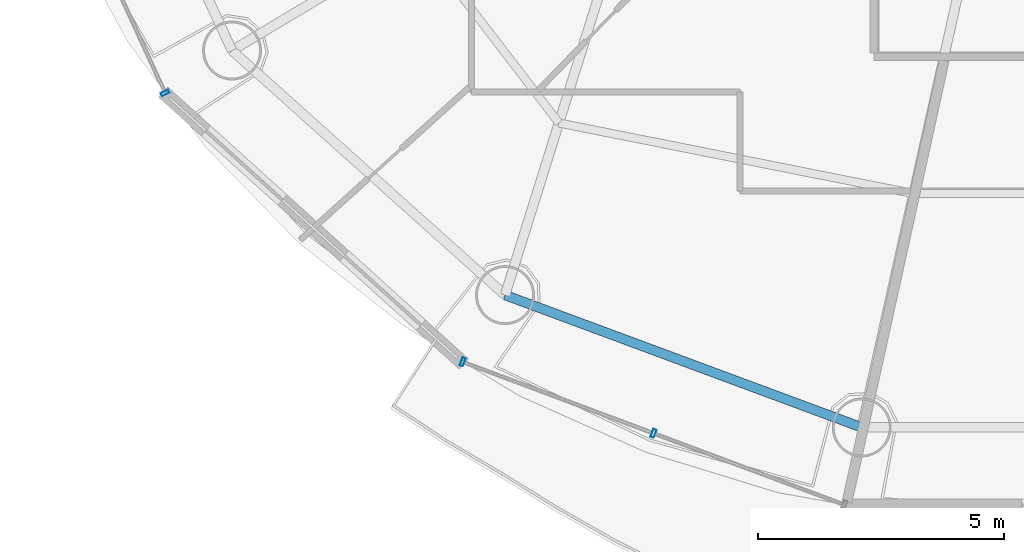
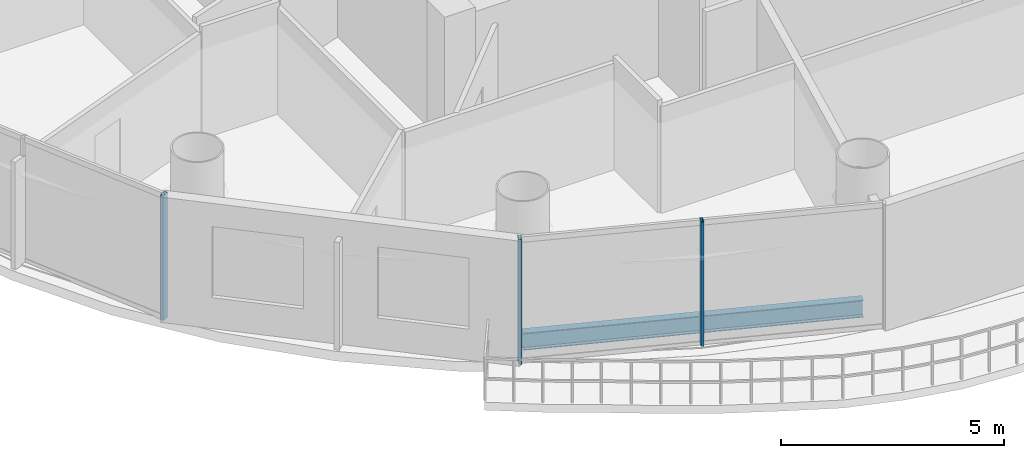
# One storey, part 2 of 26: 3 members, 1 beam, 2 elements without a shape of their own.
"""IFC4 building model written with IfcOpenShell, lengths in metres."""

from ifc_helpers import new_model, si_unit, direction, frame, origin, origin_2d, place, context, subcontext, project, spatial, hollow_rectangle, i_section, extrude, source, transform, mapped, material, material_profile, profile_set, type_object, element, aggregate, save


model = new_model("IFC4")

# Units and contexts
model_context = context("Model", 3, precision=1e-05, world=origin(), true_north=direction((-0.2419218956, 0.970295726276)))
body_context = subcontext(model_context, "Body", "Model", "MODEL_VIEW")
ifc_project = project(units=[si_unit("LENGTHUNIT", "METRE"), si_unit("AREAUNIT", "SQUARE_METRE"), si_unit("VOLUMEUNIT", "CUBIC_METRE"), si_unit("PLANEANGLEUNIT", "RADIAN"), si_unit("MASSUNIT", "GRAM", prefix="KILO")], contexts=[model_context])

# Site, building, storey
site_placement = place(None, origin())
site = spatial("IfcSite", under=ifc_project, at=site_placement, CompositionType="ELEMENT")
building_placement = place(site_placement, origin())
building = spatial("IfcBuilding", under=site, at=building_placement, Name="Cobrevalo Terracotta Tower", CompositionType="ELEMENT")
storey_placement = place(building_placement, frame((0.0, 0.0, 224.5)))
storey = spatial("IfcBuildingStorey", under=building, at=storey_placement, Name="L59", CompositionType="ELEMENT", Elevation=224.5)

# Beam
ifc_material_1 = material(Name="Steel S355", Category="steel")
ifc_material_profile_1 = material_profile(ifc_material_1, i_section(OverallWidth=0.194091796875, OverallDepth=0.468994140625, WebThickness=0.011474609375, FlangeThickness=0.0205078125, at=origin_2d()), Name="W 460x106")
ifc_profile_set_1 = profile_set([ifc_material_profile_1], Name="Steel S355")
beam_type = type_object("IfcBeamType", Name="Structural Spandrel W 460x106 (Steel S355)", PredefinedType="SPANDREL", material=ifc_profile_set_1)
beam_placement = place(storey_placement, frame((26.80517578125, 11.7919921875, -0.49951171875), z_axis=(0.937545996665, -0.347861328892, 0.0), x_axis=(0.347861328892, 0.937545996665, 0.0)))
element("IfcBeam", 1, at=beam_placement, inside=storey, type_object=beam_type, Name="L59 perimeter ring spandrel 11", PredefinedType="SPANDREL", context=body_context, shape_type="SweptSolid", body=[
    extrude(i_section(OverallWidth=0.194091796875, OverallDepth=0.468994140625, WebThickness=0.011474609375, FlangeThickness=0.0205078125, at=origin_2d()), origin(), (0.0, 0.0, 1.0), 7.74755859375),
])

# Curtain wall, member
ifc_material_2 = material(Name="Anodized aluminium", Category="aluminium")
curtain_wall_type = type_object("IfcCurtainWallType", Name="Mid-tower high-wind unitised curtain wall CW-U2", PredefinedType="NOTDEFINED", material=ifc_material_2)
curtain_wall_1_placement = place(storey_placement, origin())
curtain_wall_1 = element("IfcCurtainWall", 2, at=curtain_wall_1_placement, inside=storey, type_object=curtain_wall_type, Name="L59 curtain wall CW-L59-S09", PredefinedType="NOTDEFINED")
ifc_material_profile_2 = material_profile(ifc_material_2, hollow_rectangle(XDim=0.070068359375, YDim=0.169921875, WallThickness=0.00439453125, at=origin_2d()), Name="CWM 70x170")
ifc_profile_set_2 = profile_set([ifc_material_profile_2], Name="Anodized aluminium")
member_type = type_object("IfcMemberType", Name="Upper tower unitised mullion 70x170", PredefinedType="MULLION", material=ifc_profile_set_2)
shared_shape = source(origin(), body_context, "Body", "SweptSolid", [
    extrude(hollow_rectangle(XDim=0.070068359375, YDim=0.169921875, WallThickness=0.00439453125, at=origin_2d()), origin(), (0.0, 0.0, 1.0), 3.43505859375),
])
member_1_placement = place(storey_placement, frame((19.88232421875, 15.908203125, 0.0), z_axis=(0.0, 0.0, 1.0), x_axis=(0.41672507912, -0.909032567311, 0.0)))
member_1 = element("IfcMember", 3, at=member_1_placement, type_object=member_type, Name="CW-L59-S09 vertical mullion 03", PredefinedType="MULLION", context=body_context, shape_type="MappedRepresentation", body=[
    mapped(shared_shape, transform((0.0, 0.0, 0.0), scale=1.0)),
])
aggregate(curtain_wall_1, [member_1])

# Curtain wall, members
curtain_wall_2_placement = place(storey_placement, origin())
curtain_wall_2 = element("IfcCurtainWall", 4, at=curtain_wall_2_placement, inside=storey, type_object=curtain_wall_type, Name="L59 curtain wall CW-L59-S11", PredefinedType="NOTDEFINED")
member_2_placement = place(storey_placement, frame((25.942626953125, 10.430908203125, 0.0), z_axis=(0.0, 0.0, 1.0), x_axis=(0.936556004584, -0.350517974259, 0.0)))
member_2 = element("IfcMember", 5, at=member_2_placement, type_object=member_type, Name="CW-L59-S11 vertical mullion 01", PredefinedType="MULLION", context=body_context, shape_type="MappedRepresentation", body=[
    mapped(shared_shape, transform((0.0, 0.0, 0.0), scale=1.0)),
])
member_3_placement = place(storey_placement, frame((29.8291015625, 8.9765625, 0.0), z_axis=(0.0, 0.0, 1.0), x_axis=(0.936556004584, -0.350517974259, 0.0)))
member_3 = element("IfcMember", 6, at=member_3_placement, type_object=member_type, Name="CW-L59-S11 vertical mullion 02", PredefinedType="MULLION", context=body_context, shape_type="MappedRepresentation", body=[
    mapped(shared_shape, transform((0.0, 0.0, 0.0), scale=1.0)),
])
aggregate(curtain_wall_2, [member_2, member_3])

save(model, "model.ifc")
